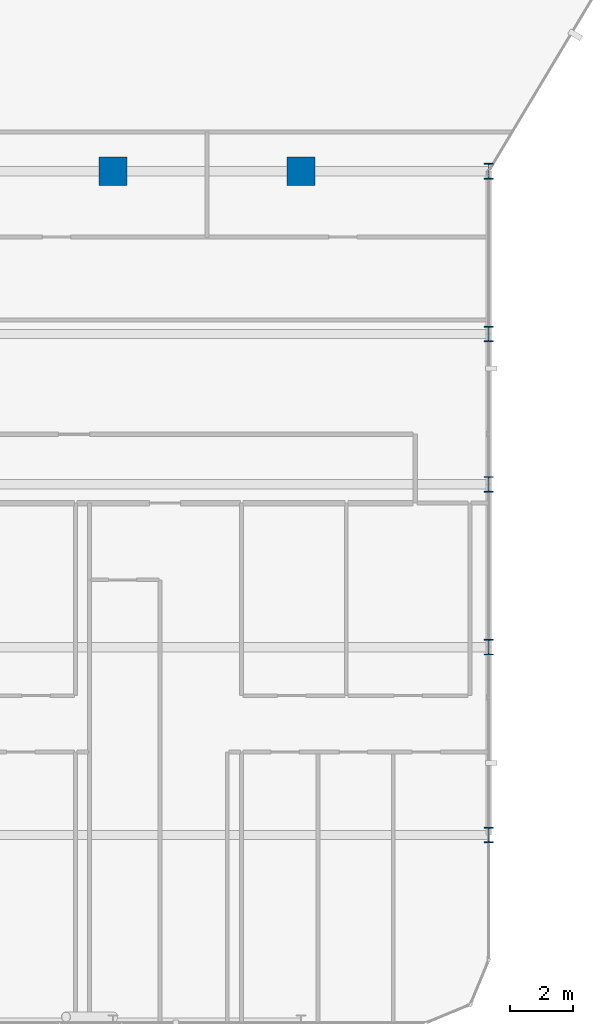
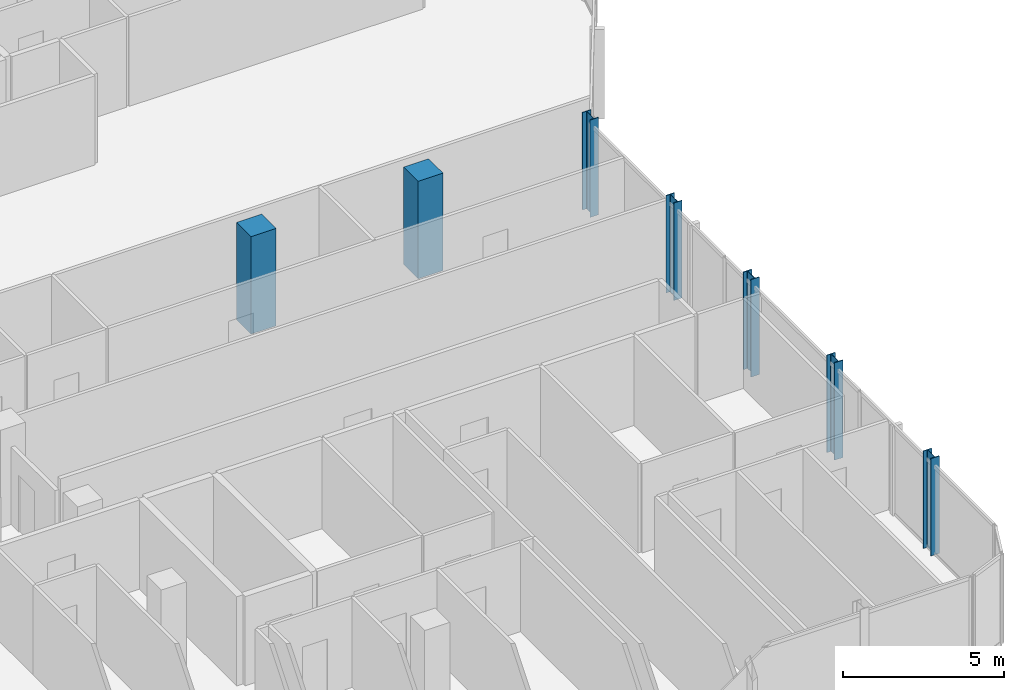
# One storey, part 2 of 31: 7 columns.
"""IFC4 building model written with IfcOpenShell, lengths in metres."""

from ifc_helpers import new_model, si_unit, direction, frame, origin, origin_2d, place, context, subcontext, project, spatial, rectangle, i_section, extrude, material, material_profile, profile_set, type_object, element, save


model = new_model("IFC4")

# Units and contexts
model_context = context("Model", 3, precision=1e-05, world=origin(), true_north=direction((0.0, 1.0)))
body_context = subcontext(model_context, "Body", "Model", "MODEL_VIEW")
ifc_project = project(units=[si_unit("LENGTHUNIT", "METRE"), si_unit("AREAUNIT", "SQUARE_METRE"), si_unit("VOLUMEUNIT", "CUBIC_METRE"), si_unit("PLANEANGLEUNIT", "RADIAN"), si_unit("MASSUNIT", "GRAM", prefix="KILO")], contexts=[model_context])

# Site, building, storey
site_placement = place(None, origin())
site = spatial("IfcSite", under=ifc_project, at=site_placement, CompositionType="ELEMENT")
building_placement = place(site_placement, origin())
building = spatial("IfcBuilding", under=site, at=building_placement, Name="Keshet Zoharim Tower", CompositionType="ELEMENT")
storey_placement = place(building_placement, frame((0.0, 0.0, 140.89990234375)))
storey = spatial("IfcBuildingStorey", under=building, at=storey_placement, Name="L34", CompositionType="ELEMENT", Elevation=140.89990234375)

# Columns
ifc_material_1 = material(Name="Steel S355", Category="steel")
ifc_material_profile_1 = material_profile(ifc_material_1, i_section(OverallWidth=0.300048828125, OverallDepth=0.5, WebThickness=0.014404296875, FlangeThickness=0.028076171875, FilletRadius=0.027099609375, at=origin_2d()), Name="HEB500")
ifc_profile_set_1 = profile_set([ifc_material_profile_1], Name="Steel S355")
column_type_1 = type_object("IfcColumnType", Name="COL-HEB500", PredefinedType="COLUMN", material=ifc_profile_set_1)
for number, where, z_axis, x_axis, name in (
    (1, (57.0, 6.699951171875, 0.0), (0.0, 0.0, 1.0), (1.0, 0.0, 0.0), "L34 Column 10B"),
    (2, (57.0, 12.699951171875, 0.0), (0.0, 0.0, 1.0), (1.0, 0.0, 0.0), "L34 Column 10C"),
    (3, (57.0, 17.89990234375, 0.0), (0.0, 0.0, 1.0), (1.0, 0.0, 0.0), "L34 Column 10D"),
    (4, (57.0, 22.699951171875, 0.0), (0.0, 0.0, 1.0), (1.0, 0.0, 0.0), "L34 Column 10E"),
    (5, (57.0, 27.89990234375, 0.0), (0.0, 0.0, 1.0), (1.0, 0.0, 0.0), "L34 Column 10F"),
):
    element("IfcColumn", number, at=place(storey_placement, frame(where, z_axis=z_axis, x_axis=x_axis)), inside=storey, type_object=column_type_1, Name=name, PredefinedType="COLUMN", context=body_context, shape_type="SweptSolid", body=[
        extrude(i_section(OverallWidth=0.300048828125, OverallDepth=0.5, WebThickness=0.014404296875, FlangeThickness=0.028076171875, FilletRadius=0.027099609375, at=origin_2d()), origin(), (0.0, 0.0, 1.0), 3.7001953125),
    ])
ifc_material_2 = material(Name="Concrete C60/75", Category="concrete")
ifc_material_profile_2 = material_profile(ifc_material_2, rectangle(XDim=0.89990234375, YDim=0.89990234375, at=origin_2d()), Name="RC900x900")
ifc_profile_set_2 = profile_set([ifc_material_profile_2], Name="Concrete C60/75")
column_type_2 = type_object("IfcColumnType", Name="COL-RC900", PredefinedType="COLUMN", material=ifc_profile_set_2)
for number, where, z_axis, x_axis, name in (
    (6, (45.0, 27.89990234375, 0.0), (0.0, 0.0, 1.0), (1.0, 0.0, 0.0), "L34 Column 8F"),
    (7, (51.0, 27.89990234375, 0.0), (0.0, 0.0, 1.0), (1.0, 0.0, 0.0), "L34 Column 9F"),
):
    element("IfcColumn", number, at=place(storey_placement, frame(where, z_axis=z_axis, x_axis=x_axis)), inside=storey, type_object=column_type_2, Name=name, PredefinedType="COLUMN", context=body_context, shape_type="SweptSolid", body=[
        extrude(rectangle(XDim=0.89990234375, YDim=0.89990234375, at=origin_2d()), origin(), (0.0, 0.0, 1.0), 3.7001953125),
    ])

save(model, "model.ifc")
